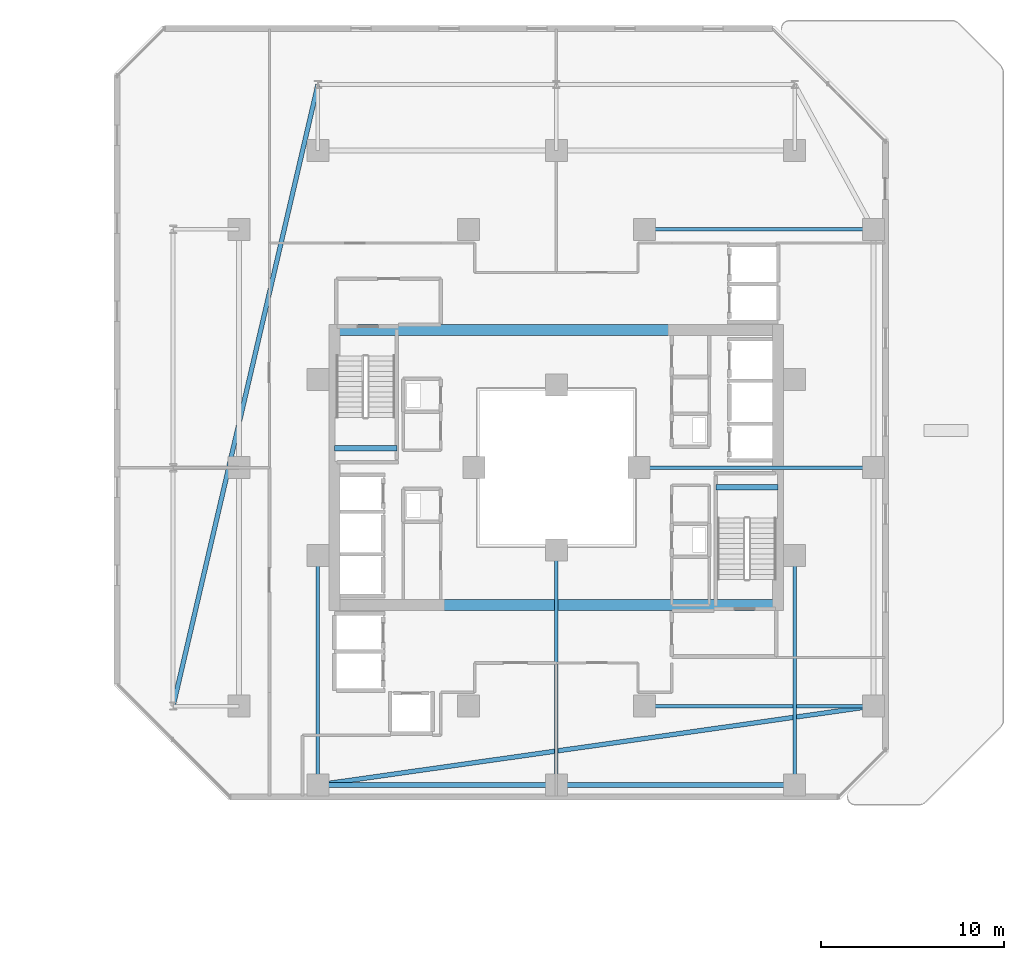
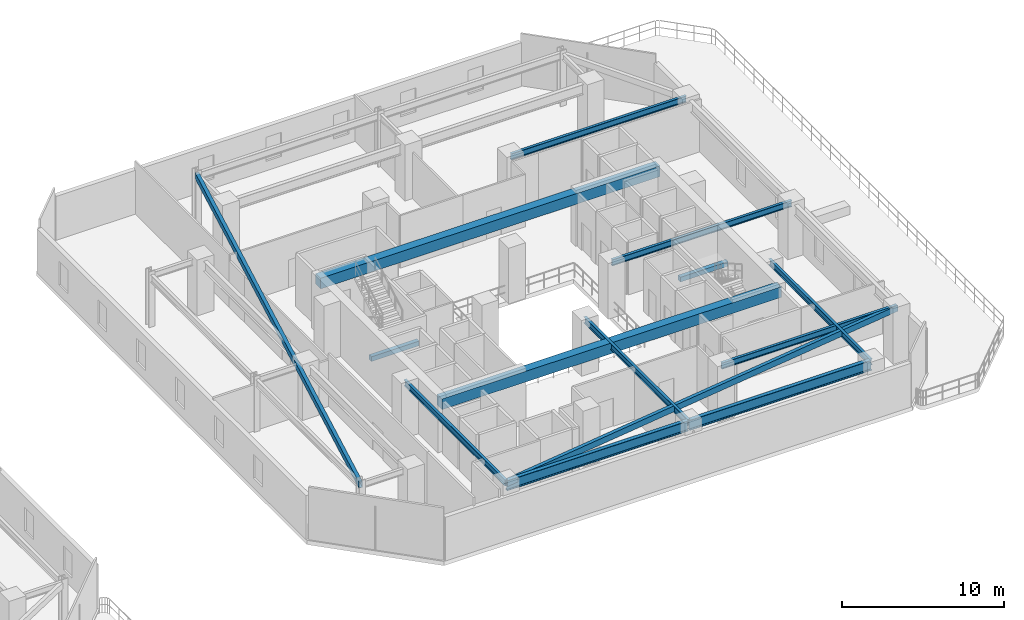
# One storey, part 11 of 30: 14 beams.
"""IFC4 building model written with IfcOpenShell, lengths in metres."""

import ifcopenshell
import ifcopenshell.guid

model = None  # the IFC model being written
_history = None  # IfcOwnerHistory: only IFC2X3 demands one
_inside = {}  # id of a spatial element -> (the spatial element, [elements in it])
_under = {}  # id of a project, library or spatial element -> (it, [spatial elements below it])
_declared = {}  # id of a project -> (the project, [libraries it declares])
_typed = {}  # id of a type object -> (the type object, [elements of that type])
_made_of = {}  # id of a material, layer set ... -> (it, [elements and type objects made of it])


def new_model(schema):
    """Start an empty IFC model of exactly this schema.

    Asked for "IFC4X3", IfcOpenShell would pick the latest addendum, in which some entities
    have other attributes; the version numbers below select the first issue.
    IFC2X3 requires an IfcOwnerHistory on every rooted entity: one is made here for all.
    """
    global model, _history
    if schema == "IFC4X3":
        model = ifcopenshell.file(schema_version=(4, 3, 0, 0))
    else:
        model = ifcopenshell.file(schema=schema)
    _inside.clear()
    _under.clear()
    _declared.clear()
    _typed.clear()
    _made_of.clear()
    _history = None
    if model.schema == "IFC2X3":
        org = make("IfcOrganization", Name="unknown")
        user = make(
            "IfcPersonAndOrganization",
            ThePerson=make("IfcPerson", FamilyName="unknown"),
            TheOrganization=org,
        )
        app = make(
            "IfcApplication",
            ApplicationDeveloper=org,
            Version="unknown",
            ApplicationFullName="unknown",
            ApplicationIdentifier="unknown",
        )
        _history = make(
            "IfcOwnerHistory",
            OwningUser=user,
            OwningApplication=app,
            ChangeAction="ADDED",
            CreationDate=0,
        )
    return model


def make(cls, **values):
    """One entity of the class cls with the attributes given. An attribute that is None is left unset."""
    return model.create_entity(
        cls, **{name: value for name, value in values.items() if value is not None}
    )


def rooted(cls, **values):
    """An entity with a GlobalId (a new one), such as an element, a storey or a relation."""
    return make(cls, GlobalId=ifcopenshell.guid.new(), OwnerHistory=_history, **values)


def si_unit(unit_type, name, prefix=None):
    """IfcSIUnit, for example si_unit("LENGTHUNIT", "METRE", prefix="MILLI")."""
    return make("IfcSIUnit", UnitType=unit_type, Prefix=prefix, Name=name)


def assignment(units):
    """IfcUnitAssignment: the units of a project."""
    return None if units is None else make("IfcUnitAssignment", Units=units)


def point(xyz):
    """IfcCartesianPoint."""
    return None if xyz is None else make("IfcCartesianPoint", Coordinates=xyz)


def direction(xyz):
    """IfcDirection."""
    return None if xyz is None else make("IfcDirection", DirectionRatios=xyz)


def frame(location, z_axis=None, x_axis=None):
    """IfcAxis2Placement3D, a coordinate frame: its origin and axes. An axis left out is left unset."""
    return make(
        "IfcAxis2Placement3D",
        Location=point(location),
        Axis=direction(z_axis),
        RefDirection=direction(x_axis),
    )


def frame_2d(location, x_axis=None):
    """IfcAxis2Placement2D, a coordinate frame in the plane: its origin and x axis."""
    return make(
        "IfcAxis2Placement2D", Location=point(location), RefDirection=direction(x_axis)
    )


def origin():
    """The frame at (0, 0, 0) with its axes left unset."""
    return frame((0.0, 0.0, 0.0))


def origin_2d():
    """The frame at (0, 0) in the plane with its x axis left unset."""
    return frame_2d((0.0, 0.0))


def place(relative_to, where):
    """IfcLocalPlacement: puts the frame where relative to a parent placement (None: the world)."""
    return make(
        "IfcLocalPlacement", PlacementRelTo=relative_to, RelativePlacement=where
    )


def context(
    kind, dimensions, precision=None, world=None, true_north=None, identifier=None
):
    """IfcGeometricRepresentationContext, for example the 3D "Model" context."""
    return make(
        "IfcGeometricRepresentationContext",
        ContextIdentifier=identifier,
        ContextType=kind,
        CoordinateSpaceDimension=dimensions,
        Precision=precision,
        WorldCoordinateSystem=world,
        TrueNorth=true_north,
    )


def subcontext(parent, identifier, kind, view, scale=None):
    """IfcGeometricRepresentationSubContext, for example "Body" below "Model"."""
    return make(
        "IfcGeometricRepresentationSubContext",
        ContextIdentifier=identifier,
        ContextType=kind,
        ParentContext=parent,
        TargetScale=scale,
        TargetView=view,
    )


def project(units=None, contexts=None):
    """IfcProject with its units and contexts."""
    return rooted(
        "IfcProject",
        Name="project",
        RepresentationContexts=contexts,
        UnitsInContext=assignment(units),
    )


def spatial(cls, under=None, at=None, **own):
    """A site, building, storey or space (cls), placed at a placement, below another one or the project."""
    s = rooted(cls, ObjectPlacement=at, **own)
    if under is not None:
        _under.setdefault(under.id(), (under, []))[1].append(s)
    return s


def profile(cls, at=None, kind="AREA", **sizes):
    """A parametric profile (cls). Its sizes go by their IFC names, for example OverallWidth=200.0."""
    return make(cls, ProfileType=kind, Position=at, **sizes)


def rectangle(**sizes):
    """IfcRectangleProfileDef."""
    return profile("IfcRectangleProfileDef", **sizes)


def hollow_rectangle(**sizes):
    """IfcRectangleHollowProfileDef."""
    return profile("IfcRectangleHollowProfileDef", **sizes)


def i_section(**sizes):
    """IfcIShapeProfileDef."""
    return profile("IfcIShapeProfileDef", **sizes)


def extrude(swept, where, along, depth):
    """IfcExtrudedAreaSolid: the profile swept, set in the frame where, extruded along a direction by depth."""
    return make(
        "IfcExtrudedAreaSolid",
        SweptArea=swept,
        Position=where,
        ExtrudedDirection=direction(along),
        Depth=depth,
    )


def shape(context_of_items, identifier, shape_type, items):
    """IfcShapeRepresentation: the items that make up one representation, for example the "Body"."""
    return make(
        "IfcShapeRepresentation",
        ContextOfItems=context_of_items,
        RepresentationIdentifier=identifier,
        RepresentationType=shape_type,
        Items=items,
    )


def material(Name=None, Category=None):
    """IfcMaterial."""
    return make("IfcMaterial", Name=Name, Category=Category)


def material_profile(
    of_material, cross_section, Name=None, Category=None, Priority=None
):
    """IfcMaterialProfile: a cross section and its material."""
    return make(
        "IfcMaterialProfile",
        Name=Name,
        Material=of_material,
        Profile=cross_section,
        Priority=Priority,
        Category=Category,
    )


def profile_set(profiles, Name=None, composite=None):
    """IfcMaterialProfileSet."""
    return make(
        "IfcMaterialProfileSet",
        Name=Name,
        MaterialProfiles=profiles,
        CompositeProfile=composite,
    )


def made_of(thing, what):
    """Note that an element or type object is made of a material, layer set ...; save() writes the relation."""
    if what is not None:
        _made_of.setdefault(what.id(), (what, []))[1].append(thing)
    return thing


def type_object(cls, material=None, **own):
    """A type object (cls), such as IfcWallType, which elements share."""
    return made_of(rooted(cls, **own), material)


def element(
    cls,
    number,
    at=None,
    inside=None,
    cuts=None,
    type_object=None,
    material=None,
    context=None,
    identifier="Body",
    shape_type=None,
    held_by="IfcProductDefinitionShape",
    body=None,
    shapes=None,
    **own,
):
    """One element of the class cls, such as IfcWall. Its Tag is "e" and its number.

    at: its placement. inside: the storey or other place that contains it. cuts: it is an
    opening in that element (IfcRelVoidsElement). A single representation is given by context,
    identifier, shape_type and body (its items); several are given by shapes. held_by: the class
    of the entity that holds the representations. save() writes the other relations.
    """
    e = rooted(cls, Tag="e%d" % number, ObjectPlacement=at, **own)
    if body is not None:
        shapes = [shape(context, identifier, shape_type, body)]
    if shapes is not None:
        e.Representation = make(held_by, Representations=shapes)
    if inside is not None:
        _inside.setdefault(inside.id(), (inside, []))[1].append(e)
    if cuts is not None:
        rooted(
            "IfcRelVoidsElement", RelatingBuildingElement=cuts, RelatedOpeningElement=e
        )
    if type_object is not None:
        _typed.setdefault(type_object.id(), (type_object, []))[1].append(e)
    return made_of(e, material)


def aggregate(whole, parts):
    """IfcRelAggregates: a whole, such as a stair, and the parts it consists of."""
    return rooted("IfcRelAggregates", RelatingObject=whole, RelatedObjects=parts)


def save(model, path):
    """Write the relations noted so far, then the file.

    IfcRelAggregates (storeys below a building ...), IfcRelContainedInSpatialStructure (elements
    in a storey), IfcRelDefinesByType, IfcRelAssociatesMaterial and IfcRelDeclares: one each for
    every whole, place, type object, material and project.
    """
    for whole, parts in _under.values():
        aggregate(whole, parts)
    for where, things in _inside.values():
        rooted(
            "IfcRelContainedInSpatialStructure",
            RelatedElements=things,
            RelatingStructure=where,
        )
    for kind, things in _typed.values():
        rooted("IfcRelDefinesByType", RelatedObjects=things, RelatingType=kind)
    for what, things in _made_of.values():
        rooted("IfcRelAssociatesMaterial", RelatedObjects=things, RelatingMaterial=what)
    for by, libraries in _declared.values():
        rooted("IfcRelDeclares", RelatingContext=by, RelatedDefinitions=libraries)
    model.write(path)


model = new_model("IFC4")

# Units and contexts
model_context = context("Model", 3, precision=1e-05, world=origin(), true_north=direction((0.0, 1.0)))
body_context = subcontext(model_context, "Body", "Model", "MODEL_VIEW")
ifc_project = project(units=[si_unit("LENGTHUNIT", "METRE"), si_unit("AREAUNIT", "SQUARE_METRE"), si_unit("VOLUMEUNIT", "CUBIC_METRE"), si_unit("PLANEANGLEUNIT", "RADIAN"), si_unit("MASSUNIT", "GRAM", prefix="KILO")], contexts=[model_context])

# Site, building, storey
site_placement = place(None, origin())
site = spatial("IfcSite", under=ifc_project, at=site_placement, CompositionType="ELEMENT")
building_placement = place(site_placement, origin())
building = spatial("IfcBuilding", under=site, at=building_placement, Name="Thornwick Lancets Civic Towers", CompositionType="ELEMENT")
storey_placement = place(building_placement, frame((0.0, 0.0, 75.89990234375)))
storey = spatial("IfcBuildingStorey", under=building, at=storey_placement, Name="L19", CompositionType="ELEMENT", Elevation=75.89990234375)

# Beams
ifc_material_1 = material(Name="Concrete C60/75", Category="concrete")
ifc_material_profile_1 = material_profile(ifc_material_1, rectangle(XDim=0.60009765625, YDim=0.800048828125, at=origin_2d()), Name="RC 600x800")
ifc_profile_set_1 = profile_set([ifc_material_profile_1], Name="Concrete C60/75")
beam_type_1 = type_object("IfcBeamType", Name="BM_COUP_RC800", PredefinedType="BEAM", material=ifc_profile_set_1)
for number, where, z_axis, x_axis, name in (
    (1, (76.39990234375, 34.5, 3.56005859375), (1.0, 0.0, 0.0), (0.0, 1.0, 0.0), "CB-L19-B1"),
    (2, (76.39990234375, 19.5, 3.56005859375), (1.0, 0.0, 0.0), (0.0, 1.0, 0.0), "CB-L19-B2"),
):
    element("IfcBeam", number, at=place(storey_placement, frame(where, z_axis=z_axis, x_axis=x_axis)), inside=storey, type_object=beam_type_1, Name=name, PredefinedType="BEAM", context=body_context, shape_type="SweptSolid", body=[
        extrude(rectangle(XDim=0.60009765625, YDim=0.800048828125, at=origin_2d()), origin(), (0.0, 0.0, 1.0), 24.2001953125),
    ])
ifc_material_2 = material(Name="Steel S355JR", Category="steel")
ifc_material_profile_2 = material_profile(ifc_material_2, i_section(OverallWidth=0.26806640625, OverallDepth=0.769775390625, WebThickness=0.015625, FlangeThickness=0.025390625, FilletRadius=0.0166015625, at=origin_2d()), Name="UKB 762x267x197")
ifc_profile_set_2 = profile_set([ifc_material_profile_2], Name="Steel S355JR")
beam_type_2 = type_object("IfcBeamType", Name="BM_GIRD_762_197", PredefinedType="BEAM", material=ifc_profile_set_2)
beam_1_placement = place(storey_placement, frame((101.5, 9.699951171875, 3.5751953125), z_axis=(-1.0, 0.0, 0.0), x_axis=(0.0, -1.0, 0.0)))
element("IfcBeam", 3, at=beam_1_placement, inside=storey, type_object=beam_type_2, Name="BM-SPINE-L19-B-9-10", PredefinedType="BEAM", context=body_context, shape_type="SweptSolid", body=[
    extrude(i_section(OverallWidth=0.26806640625, OverallDepth=0.769775390625, WebThickness=0.015625, FlangeThickness=0.025390625, FilletRadius=0.0166015625, at=origin_2d()), origin(), (0.0, 0.0, 1.0), 13.0),
])
beam_2_placement = place(storey_placement, frame((88.419921875, 9.699951171875, 3.5751953125), z_axis=(-1.0, 0.0, 0.0), x_axis=(0.0, -1.0, 0.0)))
element("IfcBeam", 4, at=beam_2_placement, inside=storey, type_object=beam_type_2, Name="BM-SPINE-L19-B-10-11", PredefinedType="BEAM", context=body_context, shape_type="SweptSolid", body=[
    extrude(i_section(OverallWidth=0.26806640625, OverallDepth=0.769775390625, WebThickness=0.015625, FlangeThickness=0.025390625, FilletRadius=0.0166015625, at=origin_2d()), origin(), (0.0, 0.0, 1.0), 12.919921875),
])
ifc_material_profile_3 = material_profile(ifc_material_2, i_section(OverallWidth=0.19189453125, OverallDepth=0.46337890625, WebThickness=0.010498046875, FlangeThickness=0.017578125, FilletRadius=0.01025390625, at=origin_2d()), Name="UKB 457x191x89")
ifc_profile_set_3 = profile_set([ifc_material_profile_3], Name="Steel S355JR")
beam_type_3 = type_object("IfcBeamType", Name="BM_JOIST_457_89", PredefinedType="JOIST", material=ifc_profile_set_3)
beam_3_placement = place(storey_placement, frame((93.300048828125, 14.0, 3.728515625), z_axis=(1.0, 0.0, 0.0), x_axis=(0.0, 1.0, 0.0)))
element("IfcBeam", 5, at=beam_3_placement, inside=storey, type_object=beam_type_3, Name="BM-RADIN-L19-B01", PredefinedType="JOIST", context=body_context, shape_type="SweptSolid", body=[
    extrude(i_section(OverallWidth=0.19189453125, OverallDepth=0.46337890625, WebThickness=0.010498046875, FlangeThickness=0.017578125, FilletRadius=0.01025390625, at=origin_2d()), origin(), (0.0, 0.0, 1.0), 12.5),
])
beam_4_placement = place(storey_placement, frame((93.0, 27.0, 3.728515625), z_axis=(1.0, 0.0, 0.0), x_axis=(0.0, 1.0, 0.0)))
element("IfcBeam", 6, at=beam_4_placement, inside=storey, type_object=beam_type_3, Name="BM-RADIN-L19-B02", PredefinedType="JOIST", context=body_context, shape_type="SweptSolid", body=[
    extrude(i_section(OverallWidth=0.19189453125, OverallDepth=0.46337890625, WebThickness=0.010498046875, FlangeThickness=0.017578125, FilletRadius=0.01025390625, at=origin_2d()), origin(), (0.0, 0.0, 1.0), 12.800048828125),
])
for number, where, z_axis, x_axis, name in (
    (7, (93.300048828125, 40.0, 3.728515625), (1.0, 0.0, 0.0), (0.0, 1.0, 0.0), "BM-RADIN-L19-B03"),
    (8, (101.5, 22.199951171875, 3.728515625), (0.0, -1.0, 0.0), (1.0, 0.0, 0.0), "BM-RADIN-L19-B10"),
):
    element("IfcBeam", number, at=place(storey_placement, frame(where, z_axis=z_axis, x_axis=x_axis)), inside=storey, type_object=beam_type_3, Name=name, PredefinedType="JOIST", context=body_context, shape_type="SweptSolid", body=[
        extrude(i_section(OverallWidth=0.19189453125, OverallDepth=0.46337890625, WebThickness=0.010498046875, FlangeThickness=0.017578125, FilletRadius=0.01025390625, at=origin_2d()), origin(), (0.0, 0.0, 1.0), 12.5),
    ])
beam_5_placement = place(storey_placement, frame((88.5, 22.5, 3.728515625), z_axis=(0.0, -1.0, 0.0), x_axis=(1.0, 0.0, 0.0)))
element("IfcBeam", 9, at=beam_5_placement, inside=storey, type_object=beam_type_3, Name="BM-RADIN-L19-B11", PredefinedType="JOIST", context=body_context, shape_type="SweptSolid", body=[
    extrude(i_section(OverallWidth=0.19189453125, OverallDepth=0.46337890625, WebThickness=0.010498046875, FlangeThickness=0.017578125, FilletRadius=0.01025390625, at=origin_2d()), origin(), (0.0, 0.0, 1.0), 12.800048828125),
])
beam_6_placement = place(storey_placement, frame((75.5, 22.199951171875, 3.728515625), z_axis=(0.0, -1.0, 0.0), x_axis=(1.0, 0.0, 0.0)))
element("IfcBeam", 10, at=beam_6_placement, inside=storey, type_object=beam_type_3, Name="BM-RADIN-L19-B12", PredefinedType="JOIST", context=body_context, shape_type="SweptSolid", body=[
    extrude(i_section(OverallWidth=0.19189453125, OverallDepth=0.46337890625, WebThickness=0.010498046875, FlangeThickness=0.017578125, FilletRadius=0.01025390625, at=origin_2d()), origin(), (0.0, 0.0, 1.0), 12.5),
])
ifc_material_profile_4 = material_profile(ifc_material_2, hollow_rectangle(XDim=0.25, YDim=0.449951171875, WallThickness=0.01611328125, at=origin_2d()), Name="RHS 450x250x16")
ifc_profile_set_4 = profile_set([ifc_material_profile_4], Name="Steel S355JR")
beam_type_4 = type_object("IfcBeamType", Name="BM_RING_RHS450", PredefinedType="BEAM", material=ifc_profile_set_4)
beam_7_placement = place(storey_placement, frame((75.5, 47.89990234375, 3.735107421875), z_axis=(-0.226955111866, -0.973905219823, 0.0), x_axis=(0.973905219823, -0.226955111866, 0.0)))
element("IfcBeam", 11, at=beam_7_placement, inside=storey, type_object=beam_type_4, Name="BM-CHAMF-L19-B-C1", PredefinedType="BEAM", context=body_context, shape_type="SweptSolid", body=[
    extrude(hollow_rectangle(XDim=0.25, YDim=0.449951171875, WallThickness=0.01611328125, at=origin_2d()), origin(), (0.0, 0.0, 1.0), 34.80810546875),
])
beam_8_placement = place(storey_placement, frame((75.5, 9.699951171875, 3.735107421875), z_axis=(0.990079584012, 0.140507712682, 0.0), x_axis=(-0.140507712682, 0.990079584012, 0.0)))
element("IfcBeam", 12, at=beam_8_placement, inside=storey, type_object=beam_type_4, Name="BM-CHAMF-L19-B-C3", PredefinedType="BEAM", context=body_context, shape_type="SweptSolid", body=[
    extrude(hollow_rectangle(XDim=0.25, YDim=0.449951171875, WallThickness=0.01611328125, at=origin_2d()), origin(), (0.0, 0.0, 1.0), 30.603759765625),
])
ifc_material_3 = material(Name="Concrete C40/50", Category="concrete")
ifc_material_profile_5 = material_profile(ifc_material_3, rectangle(XDim=0.300048828125, YDim=0.35009765625, at=origin_2d()), Name="RC 300x350")
ifc_profile_set_5 = profile_set([ifc_material_profile_5], Name="Concrete C40/50")
beam_type_5 = type_object("IfcBeamType", Name="BM_STAIR_LDG", PredefinedType="BEAM", material=ifc_profile_set_5)
for number, where, z_axis, x_axis, name in (
    (13, (100.60009765625, 25.93505859375, 1.677978515625), (-1.0, 0.0, 0.0), (0.0, -1.0, 0.0), "L19 ST-B1 Landing Support Beam 1"),
    (14, (76.39990234375, 28.06494140625, 1.677978515625), (1.0, 0.0, 0.0), (0.0, 1.0, 0.0), "L19 ST-B2 Landing Support Beam 1"),
):
    element("IfcBeam", number, at=place(storey_placement, frame(where, z_axis=z_axis, x_axis=x_axis)), inside=storey, type_object=beam_type_5, Name=name, PredefinedType="BEAM", context=body_context, shape_type="SweptSolid", body=[
        extrude(rectangle(XDim=0.300048828125, YDim=0.35009765625, at=origin_2d()), origin(), (0.0, 0.0, 1.0), 3.400146484375),
    ])

save(model, "model.ifc")
